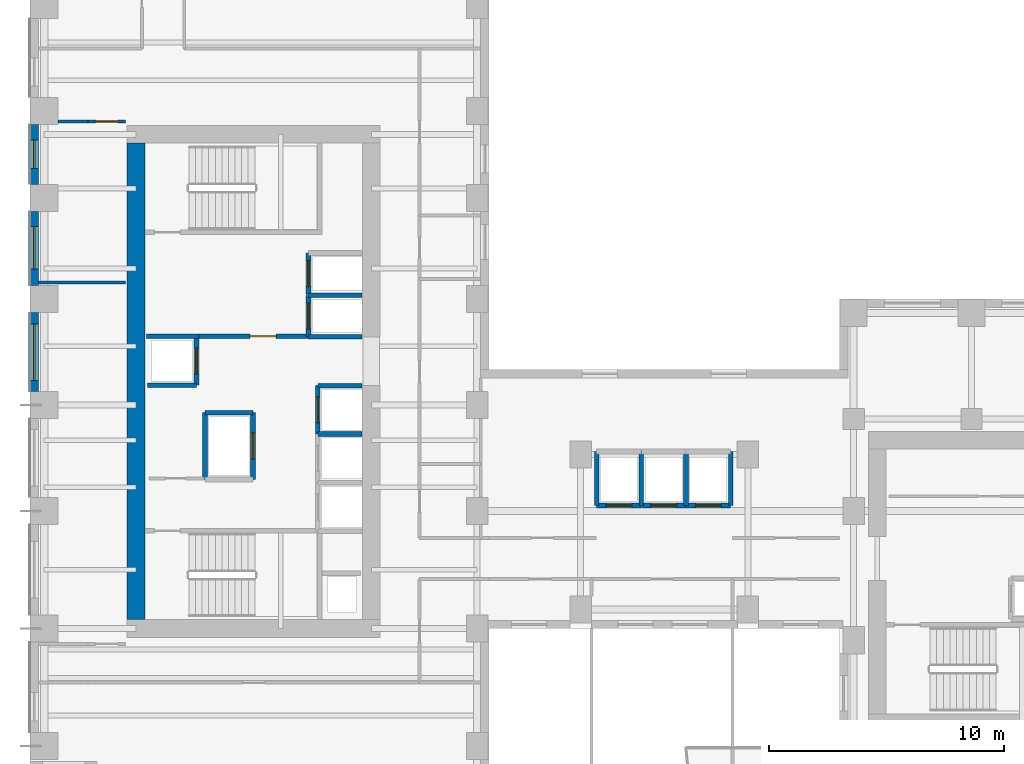
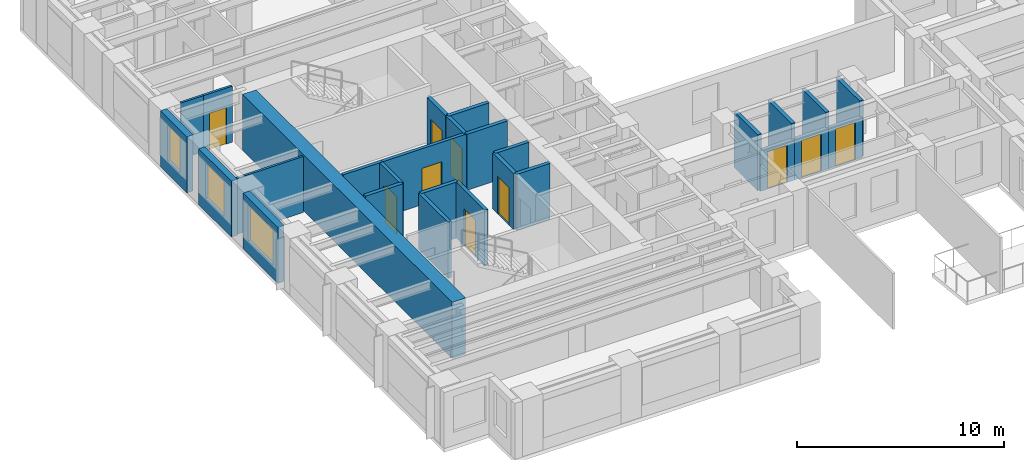
# One storey, part 5 of 12: 28 walls, 10 doors, 3 windows, 13 openings.
"""IFC4 building model written with IfcOpenShell, lengths in metres."""

from ifc_helpers import new_model, si_unit, direction, frame, frame_2d, origin, place, context, subcontext, project, spatial, rectangle, extrude, source, transform, mapped, material, layer, layer_set, type_object, element, fill, save


model = new_model("IFC4")

# Units and contexts
model_context = context("Model", 3, precision=1e-05, world=origin(), true_north=direction((0.0, 1.0)))
body_context = subcontext(model_context, "Body", "Model", "MODEL_VIEW")
ifc_project = project(units=[si_unit("LENGTHUNIT", "METRE"), si_unit("AREAUNIT", "SQUARE_METRE"), si_unit("VOLUMEUNIT", "CUBIC_METRE"), si_unit("PLANEANGLEUNIT", "RADIAN"), si_unit("MASSUNIT", "GRAM", prefix="KILO")], contexts=[model_context])

# Site, building, storey
site_placement = place(None, origin())
site = spatial("IfcSite", under=ifc_project, at=site_placement, CompositionType="ELEMENT")
building_placement = place(site_placement, origin())
building = spatial("IfcBuilding", under=site, at=building_placement, Name="Kharzan Plaza Tower", CompositionType="ELEMENT")
storey_placement = place(building_placement, frame((0.0, 0.0, 135.0)))
storey = spatial("IfcBuildingStorey", under=building, at=storey_placement, Name="L36", CompositionType="ELEMENT", Elevation=135.0)

# Wall, opening, window
ifc_material_1 = material(Name="Concrete C40/50", Category="concrete")
ifc_layer_1 = layer(ifc_material_1, 0.35009765625)
ifc_layer_set_1 = layer_set([ifc_layer_1], Name="Concrete C40/50")
wall_type_1 = type_object("IfcWallType", Name="WL-EXT-MAS-Z2", PredefinedType="SOLIDWALL", material=ifc_layer_set_1)
wall_1_placement = place(storey_placement, frame((0.175048828125, 29.927001953125, 0.0), z_axis=(0.0, 0.0, 1.0), x_axis=(0.0, -1.0, 0.0)))
wall_1 = element("IfcWall", 1, at=wall_1_placement, inside=storey, type_object=wall_type_1, Name="L36 Masonry-Frame Exterior Wall 20", PredefinedType="SOLIDWALL", context=body_context, shape_type="SweptSolid", body=[
    extrude(rectangle(XDim=2.553955078125, YDim=0.35009765625, at=frame_2d((1.27685546875, 0.0))), origin(), (0.0, 0.0, 1.0), 3.304931640625),
])
opening_1_placement = place(wall_1_placement, frame((0.677001953125, 0.0, 0.780029296875)))
opening_1 = element("IfcOpeningElement", 2, at=opening_1_placement, cuts=wall_1, Name="Opening W3", PredefinedType="OPENING", context=body_context, shape_type="SweptSolid", body=[
    extrude(rectangle(XDim=1.199951171875, YDim=2.10009765625, at=frame_2d((0.60009765625, 1.050048828125))), frame((0.0, 0.18505859375, 0.0), z_axis=(0.0, -1.0, 0.0), x_axis=(1.0, 0.0, 0.0)), (0.0, 0.0, 1.0), 0.3701171875),
])
ifc_material_2 = material(Name="Low-E Double Glazing", Category="glass")
window_type_1 = type_object("IfcWindowType", Name="WN-REC-1200x2100", PartitioningType="SINGLE_PANEL", PredefinedType="WINDOW", material=ifc_material_2)
shared_shape_1 = source(origin(), body_context, "Body", "SweptSolid", [
    extrude(rectangle(XDim=1.199951171875, YDim=2.10009765625, at=frame_2d((0.60009765625, 1.050048828125))), frame((0.0, 0.030029296875, 0.0), z_axis=(0.0, -1.0, 0.0), x_axis=(1.0, 0.0, 0.0)), (0.0, 0.0, 1.0), 0.06005859375),
])
window_1_placement = place(opening_1_placement, origin())
window_1 = element("IfcWindow", 3, at=window_1_placement, inside=storey, type_object=window_type_1, Name="L36 Recessed Solar-Control Window 20-1", OverallHeight=2.10009765625, OverallWidth=1.199951171875, PartitioningType="SINGLE_PANEL", PredefinedType="WINDOW", context=body_context, shape_type="MappedRepresentation", body=[
    mapped(shared_shape_1, transform((0.0, 0.0, 0.0), x_axis=(1.0, 0.0, 0.0), y_axis=(0.0, 1.0, 0.0), z_axis=(0.0, 0.0, 1.0))),
])
fill(opening_1, window_1)

wall_2_placement = place(storey_placement, frame((0.175048828125, 26.22705078125, 0.0), z_axis=(0.0, 0.0, 1.0), x_axis=(0.0, -1.0, 0.0)))
wall_2 = element("IfcWall", 4, at=wall_2_placement, inside=storey, type_object=wall_type_1, Name="L36 Masonry-Frame Exterior Wall 21", PredefinedType="SOLIDWALL", context=body_context, shape_type="SweptSolid", body=[
    extrude(rectangle(XDim=3.154052734375, YDim=0.35009765625, at=frame_2d((1.5771484375, 0.0))), origin(), (0.0, 0.0, 1.0), 3.304931640625),
])
opening_2_placement = place(wall_2_placement, frame((0.6484375, 0.0, 0.780029296875)))
opening_2 = element("IfcOpeningElement", 5, at=opening_2_placement, cuts=wall_2, Name="Opening W1", PredefinedType="OPENING", context=body_context, shape_type="SweptSolid", body=[
    extrude(rectangle(XDim=1.800048828125, YDim=2.10009765625, at=frame_2d((0.89990234375, 1.050048828125))), frame((0.0, 0.18505859375, 0.0), z_axis=(0.0, -1.0, 0.0), x_axis=(1.0, 0.0, 0.0)), (0.0, 0.0, 1.0), 0.3701171875),
])
window_type_2 = type_object("IfcWindowType", Name="WN-REC-1800x2100", PartitioningType="SINGLE_PANEL", PredefinedType="WINDOW", material=ifc_material_2)
shared_shape_2 = source(origin(), body_context, "Body", "SweptSolid", [
    extrude(rectangle(XDim=1.800048828125, YDim=2.10009765625, at=frame_2d((0.89990234375, 1.050048828125))), frame((0.0, 0.030029296875, 0.0), z_axis=(0.0, -1.0, 0.0), x_axis=(1.0, 0.0, 0.0)), (0.0, 0.0, 1.0), 0.06005859375),
])
window_2_placement = place(opening_2_placement, origin())
window_2 = element("IfcWindow", 6, at=window_2_placement, inside=storey, type_object=window_type_2, Name="L36 Recessed Solar-Control Window 21-1", OverallHeight=2.10009765625, OverallWidth=1.800048828125, PartitioningType="SINGLE_PANEL", PredefinedType="WINDOW", context=body_context, shape_type="MappedRepresentation", body=[
    mapped(shared_shape_2, transform((0.0, 0.0, 0.0), x_axis=(1.0, 0.0, 0.0), y_axis=(0.0, 1.0, 0.0), z_axis=(0.0, 0.0, 1.0))),
])
fill(opening_2, window_2)

wall_3_placement = place(storey_placement, frame((0.175048828125, 21.927001953125, 0.0), z_axis=(0.0, 0.0, 1.0), x_axis=(0.0, -1.0, 0.0)))
wall_3 = element("IfcWall", 7, at=wall_3_placement, inside=storey, type_object=wall_type_1, Name="L36 Masonry-Frame Exterior Wall 22", PredefinedType="SOLIDWALL", context=body_context, shape_type="SweptSolid", body=[
    extrude(rectangle(XDim=3.35400390625, YDim=0.35009765625, at=frame_2d((1.677001953125, 0.0))), origin(), (0.0, 0.0, 1.0), 3.304931640625),
])
opening_3_placement = place(wall_3_placement, frame((0.47705078125, 0.0, 0.780029296875)))
opening_3 = element("IfcOpeningElement", 8, at=opening_3_placement, cuts=wall_3, Name="Opening W2", PredefinedType="OPENING", context=body_context, shape_type="SweptSolid", body=[
    extrude(rectangle(XDim=2.39990234375, YDim=2.10009765625, at=frame_2d((1.199951171875, 1.050048828125))), frame((0.0, 0.18505859375, 0.0), z_axis=(0.0, -1.0, 0.0), x_axis=(1.0, 0.0, 0.0)), (0.0, 0.0, 1.0), 0.3701171875),
])
window_type_3 = type_object("IfcWindowType", Name="WN-REC-2400x2100", PartitioningType="SINGLE_PANEL", PredefinedType="WINDOW", material=ifc_material_2)
shared_shape_3 = source(origin(), body_context, "Body", "SweptSolid", [
    extrude(rectangle(XDim=2.39990234375, YDim=2.10009765625, at=frame_2d((1.199951171875, 1.050048828125))), frame((0.0, 0.030029296875, 0.0), z_axis=(0.0, -1.0, 0.0), x_axis=(1.0, 0.0, 0.0)), (0.0, 0.0, 1.0), 0.06005859375),
])
window_3_placement = place(opening_3_placement, origin())
window_3 = element("IfcWindow", 9, at=window_3_placement, inside=storey, type_object=window_type_3, Name="L36 Wide Recessed Solar-Control Window 22-1", OverallHeight=2.10009765625, OverallWidth=2.39990234375, PartitioningType="SINGLE_PANEL", PredefinedType="WINDOW", context=body_context, shape_type="MappedRepresentation", body=[
    mapped(shared_shape_3, transform((0.0, 0.0, 0.0), x_axis=(1.0, 0.0, 0.0), y_axis=(0.0, 1.0, 0.0), z_axis=(0.0, 0.0, 1.0))),
])
fill(opening_3, window_3)

# Wall, opening, door
ifc_layer_2 = layer(ifc_material_1, 0.179931640625)
ifc_layer_set_2 = layer_set([ifc_layer_2], Name="Concrete C40/50")
wall_type_2 = type_object("IfcWallType", Name="WL-INT-FIRE-180", PredefinedType="PARTITIONING", material=ifc_layer_set_2)
wall_4_placement = place(storey_placement, frame((7.14990234375, 20.919921875, 0.0), z_axis=(0.0, 0.0, 1.0), x_axis=(1.0, 0.0, 0.0)))
wall_4 = element("IfcWall", 10, at=wall_4_placement, inside=storey, type_object=wall_type_2, Name="L36 Interior Partition CA-FF-S", PredefinedType="PARTITIONING", context=body_context, shape_type="SweptSolid", body=[
    extrude(rectangle(XDim=4.68017578125, YDim=0.179931640625, at=frame_2d((2.340087890625, 0.0))), origin(), (0.0, 0.0, 1.0), 3.304931640625),
])
opening_4_placement = place(wall_4_placement, frame((2.199951171875, 0.0, 0.0)))
opening_4 = element("IfcOpeningElement", 11, at=opening_4_placement, cuts=wall_4, Name="Opening FD1", PredefinedType="OPENING", context=body_context, shape_type="SweptSolid", body=[
    extrude(rectangle(XDim=1.10009765625, YDim=2.14990234375, at=frame_2d((0.550048828125, 1.074951171875))), frame((0.0, 0.099853515625, 0.0), z_axis=(0.0, -1.0, 0.0), x_axis=(1.0, 0.0, 0.0)), (0.0, 0.0, 1.0), 0.199951171875),
])
ifc_material_3 = material(Name="Fire-Rated Acoustic Vision-Panel Steel", Category="steel")
door_type_1 = type_object("IfcDoorType", Name="DR-FIRE-LOBBY", OperationType="NOTDEFINED", PredefinedType="DOOR", material=ifc_material_3)
shared_shape_4 = source(origin(), body_context, "Body", "SweptSolid", [
    extrude(rectangle(XDim=1.10009765625, YDim=2.14990234375, at=frame_2d((0.550048828125, 1.074951171875))), frame((0.0, 0.02490234375, 0.0), z_axis=(0.0, -1.0, 0.0), x_axis=(1.0, 0.0, 0.0)), (0.0, 0.0, 1.0), 0.050048828125),
])
door_1_placement = place(opening_4_placement, origin())
door_1 = element("IfcDoor", 12, at=door_1_placement, inside=storey, type_object=door_type_1, Name="L36 Firefighting Lobby Door", OperationType="SINGLE_SWING_LEFT", OverallHeight=2.14990234375, OverallWidth=1.10009765625, PredefinedType="DOOR", context=body_context, shape_type="MappedRepresentation", body=[
    mapped(shared_shape_4, transform((0.0, 0.0, 0.0), x_axis=(1.0, 0.0, 0.0), y_axis=(0.0, 1.0, 0.0), z_axis=(0.0, 0.0, 1.0))),
])
fill(opening_4, door_1)

ifc_material_4 = material(Name="Fire-Rated Gypsum Board Partition", Category="gypsum")
ifc_layer_3 = layer(ifc_material_4, 0.125)
ifc_layer_set_3 = layer_set([ifc_layer_3], Name="Fire-Rated Gypsum Board Partition")
wall_type_3 = type_object("IfcWallType", Name="WL-INT-PART-125", PredefinedType="PARTITIONING", material=ifc_layer_set_3)
wall_5_placement = place(storey_placement, frame((2.449951171875, 30.050048828125, 0.0), z_axis=(0.0, 0.0, 1.0), x_axis=(1.0, 0.0, 0.0)))
wall_5 = element("IfcWall", 13, at=wall_5_placement, inside=storey, type_object=wall_type_3, Name="L36 Interior Partition SH-RWND", PredefinedType="PARTITIONING", context=body_context, shape_type="SweptSolid", body=[
    extrude(rectangle(XDim=1.60009765625, YDim=0.125, at=frame_2d((0.800048828125, 0.0))), origin(), (0.0, 0.0, 1.0), 3.304931640625),
])
opening_5_placement = place(wall_5_placement, frame((0.324951171875, 0.0, 0.0)))
opening_5 = element("IfcOpeningElement", 14, at=opening_5_placement, cuts=wall_5, Name="Opening OD1", PredefinedType="OPENING", context=body_context, shape_type="SweptSolid", body=[
    extrude(rectangle(XDim=0.949951171875, YDim=2.14990234375, at=frame_2d((0.47509765625, 1.074951171875))), frame((0.0, 0.072509765625, 0.0), z_axis=(0.0, -1.0, 0.0), x_axis=(1.0, 0.0, 0.0)), (0.0, 0.0, 1.0), 0.14501953125),
])
ifc_material_5 = material(Name="Acoustic Solid-Core Stained Oak", Category="timber")
door_type_2 = type_object("IfcDoorType", Name="DR-OFF-SINGLE", OperationType="NOTDEFINED", PredefinedType="DOOR", material=ifc_material_5)
shared_shape_5 = source(origin(), body_context, "Body", "SweptSolid", [
    extrude(rectangle(XDim=0.949951171875, YDim=2.14990234375, at=frame_2d((0.47509765625, 1.074951171875))), frame((0.0, 0.02490234375, 0.0), z_axis=(0.0, -1.0, 0.0), x_axis=(1.0, 0.0, 0.0)), (0.0, 0.0, 1.0), 0.050048828125),
])
door_2_placement = place(opening_5_placement, origin())
door_2 = element("IfcDoor", 15, at=door_2_placement, inside=storey, type_object=door_type_2, Name="L36 West Office 2 Door", OperationType="SINGLE_SWING_RIGHT", OverallHeight=2.14990234375, OverallWidth=0.949951171875, PredefinedType="DOOR", context=body_context, shape_type="MappedRepresentation", body=[
    mapped(shared_shape_5, transform((0.0, 0.0, 0.0), x_axis=(1.0, 0.0, 0.0), y_axis=(0.0, 1.0, 0.0), z_axis=(0.0, 0.0, 1.0))),
])
fill(opening_5, door_2)

ifc_layer_4 = layer(ifc_material_1, 0.199951171875)
ifc_layer_set_4 = layer_set([ifc_layer_4], Name="Concrete C40/50")
wall_type_4 = type_object("IfcWallType", Name="WL-INT-SHAFT-200", PredefinedType="PARTITIONING", material=ifc_layer_set_4)
wall_6_placement = place(storey_placement, frame((11.830078125, 20.89990234375, 0.0), z_axis=(0.0, 0.0, 1.0), x_axis=(0.0, 1.0, 0.0)))
wall_6 = element("IfcWall", 16, at=wall_6_placement, inside=storey, type_object=wall_type_4, Name="L36 Interior Partition SHF-FFL-1-W", PredefinedType="PARTITIONING", context=body_context, shape_type="SweptSolid", body=[
    extrude(rectangle(XDim=1.760009765625, YDim=0.199951171875, at=frame_2d((0.8798828125, 0.0))), origin(), (0.0, 0.0, 1.0), 3.304931640625),
])
opening_6_placement = place(wall_6_placement, frame((0.330078125, 0.0, 0.0)))
opening_6 = element("IfcOpeningElement", 17, at=opening_6_placement, cuts=wall_6, Name="Opening LD", PredefinedType="OPENING", context=body_context, shape_type="SweptSolid", body=[
    extrude(rectangle(XDim=1.10009765625, YDim=2.199951171875, at=frame_2d((0.550048828125, 1.10009765625))), frame((0.0, 0.10986328125, 0.0), z_axis=(0.0, -1.0, 0.0), x_axis=(1.0, 0.0, 0.0)), (0.0, 0.0, 1.0), 0.219970703125),
])
ifc_material_6 = material(Name="Brushed Stainless Steel", Category="steel")
door_type_3 = type_object("IfcDoorType", Name="DR-LIFT-SLIDE", OperationType="SLIDING_TO_LEFT", PredefinedType="DOOR", material=ifc_material_6)
shared_shape_6 = source(origin(), body_context, "Body", "SweptSolid", [
    extrude(rectangle(XDim=1.10009765625, YDim=2.199951171875, at=frame_2d((0.550048828125, 1.10009765625))), frame((0.0, 0.02490234375, 0.0), z_axis=(0.0, -1.0, 0.0), x_axis=(1.0, 0.0, 0.0)), (0.0, 0.0, 1.0), 0.050048828125),
])
door_3_placement = place(opening_6_placement, origin())
door_3 = element("IfcDoor", 18, at=door_3_placement, inside=storey, type_object=door_type_3, Name="L36 Firefighting Lift FFL-1 Sliding Landing Door", OperationType="SLIDING_TO_LEFT", OverallHeight=2.199951171875, OverallWidth=1.10009765625, PredefinedType="DOOR", context=body_context, shape_type="MappedRepresentation", body=[
    mapped(shared_shape_6, transform((0.0, 0.0, 0.0), x_axis=(1.0, 0.0, 0.0), y_axis=(0.0, 1.0, 0.0), z_axis=(0.0, 0.0, 1.0))),
])
fill(opening_6, door_3)

wall_7_placement = place(storey_placement, frame((11.830078125, 22.699951171875, 0.0), z_axis=(0.0, 0.0, 1.0), x_axis=(0.0, 1.0, 0.0)))
wall_7 = element("IfcWall", 19, at=wall_7_placement, inside=storey, type_object=wall_type_4, Name="L36 Interior Partition SHF-FFL-2-W", PredefinedType="PARTITIONING", context=body_context, shape_type="SweptSolid", body=[
    extrude(rectangle(XDim=1.760009765625, YDim=0.199951171875, at=frame_2d((0.8798828125, 0.0))), origin(), (0.0, 0.0, 1.0), 3.304931640625),
])
opening_7_placement = place(wall_7_placement, frame((0.330078125, 0.0, 0.0)))
opening_7 = element("IfcOpeningElement", 20, at=opening_7_placement, cuts=wall_7, Name="Opening LD", PredefinedType="OPENING", context=body_context, shape_type="SweptSolid", body=[
    extrude(rectangle(XDim=1.10009765625, YDim=2.199951171875, at=frame_2d((0.550048828125, 1.10009765625))), frame((0.0, 0.10986328125, 0.0), z_axis=(0.0, -1.0, 0.0), x_axis=(1.0, 0.0, 0.0)), (0.0, 0.0, 1.0), 0.219970703125),
])
door_4_placement = place(opening_7_placement, origin())
door_4 = element("IfcDoor", 21, at=door_4_placement, inside=storey, type_object=door_type_3, Name="L36 Firefighting Lift FFL-2 Sliding Landing Door", OperationType="SLIDING_TO_LEFT", OverallHeight=2.199951171875, OverallWidth=1.10009765625, PredefinedType="DOOR", context=body_context, shape_type="MappedRepresentation", body=[
    mapped(shared_shape_6, transform((0.0, 0.0, 0.0), x_axis=(1.0, 0.0, 0.0), y_axis=(0.0, 1.0, 0.0), z_axis=(0.0, 0.0, 1.0))),
])
fill(opening_7, door_4)

wall_8_placement = place(storey_placement, frame((12.22998046875, 16.77001953125, 0.0), z_axis=(0.0, 0.0, 1.0), x_axis=(0.0, 1.0, 0.0)))
wall_8 = element("IfcWall", 22, at=wall_8_placement, inside=storey, type_object=wall_type_4, Name="L36 Interior Partition SHF-PL-H3-W", PredefinedType="PARTITIONING", context=body_context, shape_type="SweptSolid", body=[
    extrude(rectangle(XDim=2.050048828125, YDim=0.199951171875, at=frame_2d((1.02490234375, 0.0))), origin(), (0.0, 0.0, 1.0), 3.304931640625),
])
opening_8_placement = place(wall_8_placement, frame((0.47509765625, 0.0, 0.0)))
opening_8 = element("IfcOpeningElement", 23, at=opening_8_placement, cuts=wall_8, Name="Opening LD", PredefinedType="OPENING", context=body_context, shape_type="SweptSolid", body=[
    extrude(rectangle(XDim=1.10009765625, YDim=2.199951171875, at=frame_2d((0.550048828125, 1.10009765625))), frame((0.0, 0.10986328125, 0.0), z_axis=(0.0, -1.0, 0.0), x_axis=(1.0, 0.0, 0.0)), (0.0, 0.0, 1.0), 0.219970703125),
])
door_5_placement = place(opening_8_placement, origin())
door_5 = element("IfcDoor", 24, at=door_5_placement, inside=storey, type_object=door_type_3, Name="L36 High-Rise Passenger Lift PL-H3 Sliding Landing Door", OperationType="SLIDING_TO_LEFT", OverallHeight=2.199951171875, OverallWidth=1.10009765625, PredefinedType="DOOR", context=body_context, shape_type="MappedRepresentation", body=[
    mapped(shared_shape_6, transform((0.0, 0.0, 0.0), x_axis=(1.0, 0.0, 0.0), y_axis=(0.0, 1.0, 0.0), z_axis=(0.0, 0.0, 1.0))),
])
fill(opening_8, door_5)

wall_9_placement = place(storey_placement, frame((7.070068359375, 18.840087890625, 0.0), z_axis=(0.0, 0.0, 1.0), x_axis=(0.0, 1.0, 0.0)))
wall_9 = element("IfcWall", 25, at=wall_9_placement, inside=storey, type_object=wall_type_4, Name="L36 Interior Partition SHF-PL-H4-E", PredefinedType="PARTITIONING", context=body_context, shape_type="SweptSolid", body=[
    extrude(rectangle(XDim=2.059814453125, YDim=0.199951171875, at=frame_2d((1.02978515625, 0.0))), origin(), (0.0, 0.0, 1.0), 3.304931640625),
])
opening_9_placement = place(wall_9_placement, frame((0.47998046875, 0.0, 0.0)))
opening_9 = element("IfcOpeningElement", 26, at=opening_9_placement, cuts=wall_9, Name="Opening LD", PredefinedType="OPENING", context=body_context, shape_type="SweptSolid", body=[
    extrude(rectangle(XDim=1.10009765625, YDim=2.199951171875, at=frame_2d((0.550048828125, 1.10009765625))), frame((0.0, 0.10986328125, 0.0), z_axis=(0.0, -1.0, 0.0), x_axis=(1.0, 0.0, 0.0)), (0.0, 0.0, 1.0), 0.219970703125),
])
door_6_placement = place(opening_9_placement, origin())
door_6 = element("IfcDoor", 27, at=door_6_placement, inside=storey, type_object=door_type_3, Name="L36 High-Rise Passenger Lift PL-H4 Sliding Landing Door", OperationType="SLIDING_TO_LEFT", OverallHeight=2.199951171875, OverallWidth=1.10009765625, PredefinedType="DOOR", context=body_context, shape_type="MappedRepresentation", body=[
    mapped(shared_shape_6, transform((0.0, 0.0, 0.0), x_axis=(1.0, 0.0, 0.0), y_axis=(0.0, 1.0, 0.0), z_axis=(0.0, 0.0, 1.0))),
])
fill(opening_9, door_6)

wall_10_placement = place(storey_placement, frame((24.080078125, 13.72998046875, 0.0), z_axis=(0.0, 0.0, 1.0), x_axis=(1.0, 0.0, 0.0)))
wall_10 = element("IfcWall", 28, at=wall_10_placement, inside=storey, type_object=wall_type_4, Name="L36 Interior Partition SHF-PL-M1-S", PredefinedType="PARTITIONING", context=body_context, shape_type="SweptSolid", body=[
    extrude(rectangle(XDim=1.889892578125, YDim=0.199951171875, at=frame_2d((0.94482421875, 0.0))), origin(), (0.0, 0.0, 1.0), 2.385986328125),
])
opening_10_placement = place(wall_10_placement, frame((0.39501953125, 0.0, 0.0)))
opening_10 = element("IfcOpeningElement", 29, at=opening_10_placement, cuts=wall_10, Name="Opening LD", PredefinedType="OPENING", context=body_context, shape_type="SweptSolid", body=[
    extrude(rectangle(XDim=1.10009765625, YDim=2.199951171875, at=frame_2d((0.550048828125, 1.10009765625))), frame((0.0, 0.10986328125, 0.0), z_axis=(0.0, -1.0, 0.0), x_axis=(1.0, 0.0, 0.0)), (0.0, 0.0, 1.0), 0.219970703125),
])
door_7_placement = place(opening_10_placement, origin())
door_7 = element("IfcDoor", 30, at=door_7_placement, inside=storey, type_object=door_type_3, Name="L36 Mid-Rise Passenger Lift PL-M1 Sliding Landing Door", OperationType="SLIDING_TO_LEFT", OverallHeight=2.199951171875, OverallWidth=1.10009765625, PredefinedType="DOOR", context=body_context, shape_type="MappedRepresentation", body=[
    mapped(shared_shape_6, transform((0.0, 0.0, 0.0), x_axis=(1.0, 0.0, 0.0), y_axis=(0.0, 1.0, 0.0), z_axis=(0.0, 0.0, 1.0))),
])
fill(opening_10, door_7)

wall_11_placement = place(storey_placement, frame((25.97998046875, 13.72998046875, 0.0), z_axis=(0.0, 0.0, 1.0), x_axis=(1.0, 0.0, 0.0)))
wall_11 = element("IfcWall", 31, at=wall_11_placement, inside=storey, type_object=wall_type_4, Name="L36 Interior Partition SHF-PL-M2-S", PredefinedType="PARTITIONING", context=body_context, shape_type="SweptSolid", body=[
    extrude(rectangle(XDim=1.89013671875, YDim=0.199951171875, at=frame_2d((0.945068359375, 0.0))), origin(), (0.0, 0.0, 1.0), 2.385986328125),
])
opening_11_placement = place(wall_11_placement, frame((0.39501953125, 0.0, 0.0)))
opening_11 = element("IfcOpeningElement", 32, at=opening_11_placement, cuts=wall_11, Name="Opening LD", PredefinedType="OPENING", context=body_context, shape_type="SweptSolid", body=[
    extrude(rectangle(XDim=1.10009765625, YDim=2.199951171875, at=frame_2d((0.550048828125, 1.10009765625))), frame((0.0, 0.10986328125, 0.0), z_axis=(0.0, -1.0, 0.0), x_axis=(1.0, 0.0, 0.0)), (0.0, 0.0, 1.0), 0.219970703125),
])
door_8_placement = place(opening_11_placement, origin())
door_8 = element("IfcDoor", 33, at=door_8_placement, inside=storey, type_object=door_type_3, Name="L36 Mid-Rise Passenger Lift PL-M2 Sliding Landing Door", OperationType="SLIDING_TO_LEFT", OverallHeight=2.199951171875, OverallWidth=1.10009765625, PredefinedType="DOOR", context=body_context, shape_type="MappedRepresentation", body=[
    mapped(shared_shape_6, transform((0.0, 0.0, 0.0), x_axis=(1.0, 0.0, 0.0), y_axis=(0.0, 1.0, 0.0), z_axis=(0.0, 0.0, 1.0))),
])
fill(opening_11, door_8)

wall_12_placement = place(storey_placement, frame((27.8798828125, 13.72998046875, 0.0), z_axis=(0.0, 0.0, 1.0), x_axis=(1.0, 0.0, 0.0)))
wall_12 = element("IfcWall", 34, at=wall_12_placement, inside=storey, type_object=wall_type_4, Name="L36 Interior Partition SHF-PL-M3-S", PredefinedType="PARTITIONING", context=body_context, shape_type="SweptSolid", body=[
    extrude(rectangle(XDim=1.89013671875, YDim=0.199951171875, at=frame_2d((0.945068359375, 0.0))), origin(), (0.0, 0.0, 1.0), 2.385986328125),
])
opening_12_placement = place(wall_12_placement, frame((0.39501953125, 0.0, 0.0)))
opening_12 = element("IfcOpeningElement", 35, at=opening_12_placement, cuts=wall_12, Name="Opening LD", PredefinedType="OPENING", context=body_context, shape_type="SweptSolid", body=[
    extrude(rectangle(XDim=1.10009765625, YDim=2.199951171875, at=frame_2d((0.550048828125, 1.10009765625))), frame((0.0, 0.10986328125, 0.0), z_axis=(0.0, -1.0, 0.0), x_axis=(1.0, 0.0, 0.0)), (0.0, 0.0, 1.0), 0.219970703125),
])
door_9_placement = place(opening_12_placement, origin())
door_9 = element("IfcDoor", 36, at=door_9_placement, inside=storey, type_object=door_type_3, Name="L36 Mid-Rise Passenger Lift PL-M3 Sliding Landing Door", OperationType="SLIDING_TO_LEFT", OverallHeight=2.199951171875, OverallWidth=1.10009765625, PredefinedType="DOOR", context=body_context, shape_type="MappedRepresentation", body=[
    mapped(shared_shape_6, transform((0.0, 0.0, 0.0), x_axis=(1.0, 0.0, 0.0), y_axis=(0.0, 1.0, 0.0), z_axis=(0.0, 0.0, 1.0))),
])
fill(opening_12, door_9)

wall_13_placement = place(storey_placement, frame((9.469970703125, 14.830078125, 0.0), z_axis=(0.0, 0.0, 1.0), x_axis=(0.0, 1.0, 0.0)))
wall_13 = element("IfcWall", 37, at=wall_13_placement, inside=storey, type_object=wall_type_4, Name="L36 Interior Partition SHF-SVL-1-E", PredefinedType="PARTITIONING", context=body_context, shape_type="SweptSolid", body=[
    extrude(rectangle(XDim=2.83984375, YDim=0.199951171875, at=frame_2d((1.419921875, 0.0))), origin(), (0.0, 0.0, 1.0), 3.304931640625),
])
opening_13_placement = place(wall_13_placement, frame((0.8701171875, 0.0, 0.0)))
opening_13 = element("IfcOpeningElement", 38, at=opening_13_placement, cuts=wall_13, Name="Opening LD", PredefinedType="OPENING", context=body_context, shape_type="SweptSolid", body=[
    extrude(rectangle(XDim=1.10009765625, YDim=2.199951171875, at=frame_2d((0.550048828125, 1.10009765625))), frame((0.0, 0.10986328125, 0.0), z_axis=(0.0, -1.0, 0.0), x_axis=(1.0, 0.0, 0.0)), (0.0, 0.0, 1.0), 0.219970703125),
])
door_10_placement = place(opening_13_placement, origin())
door_10 = element("IfcDoor", 39, at=door_10_placement, inside=storey, type_object=door_type_3, Name="L36 Service Lift SVL-1 Sliding Landing Door", OperationType="SLIDING_TO_LEFT", OverallHeight=2.199951171875, OverallWidth=1.10009765625, PredefinedType="DOOR", context=body_context, shape_type="MappedRepresentation", body=[
    mapped(shared_shape_6, transform((0.0, 0.0, 0.0), x_axis=(1.0, 0.0, 0.0), y_axis=(0.0, 1.0, 0.0), z_axis=(0.0, 0.0, 1.0))),
])
fill(opening_13, door_10)

# Walls
shared_shape_7 = source(origin(), body_context, "Body", "SweptSolid", [
    extrude(rectangle(XDim=2.090087890625, YDim=0.199951171875, at=frame_2d((1.044921875, 0.0))), origin(), (0.0, 0.0, 1.0), 3.304931640625),
])
wall_14_placement = place(storey_placement, frame((4.97998046875, 18.840087890625, 0.0), z_axis=(0.0, 0.0, 1.0), x_axis=(1.0, 0.0, 0.0)))
element("IfcWall", 40, at=wall_14_placement, inside=storey, type_object=wall_type_4, Name="L36 Interior Partition SHF-PL-H4-S", PredefinedType="PARTITIONING", context=body_context, shape_type="MappedRepresentation", body=[
    mapped(shared_shape_7, transform((0.0, 0.0, 0.0), x_axis=(1.0, 0.0, 0.0), y_axis=(0.0, 1.0, 0.0), z_axis=(0.0, 0.0, 1.0))),
])
shared_shape_8 = source(origin(), body_context, "Body", "SweptSolid", [
    extrude(rectangle(XDim=2.2900390625, YDim=0.199951171875, at=frame_2d((1.14501953125, 0.0))), origin(), (0.0, 0.0, 1.0), 3.304931640625),
])
for number, where, z_axis, x_axis, name in (
    (41, (25.969970703125, 13.72998046875, 0.0), (0.0, 0.0, 1.0), (0.0, 1.0, 0.0), "L36 Interior Partition SHF-PL-M1-E"),
    (42, (24.080078125, 13.72998046875, 0.0), (0.0, 0.0, 1.0), (0.0, 1.0, 0.0), "L36 Interior Partition SHF-PL-M1-W"),
    (43, (27.8701171875, 13.72998046875, 0.0), (0.0, 0.0, 1.0), (0.0, 1.0, 0.0), "L36 Interior Partition SHF-PL-M2-E"),
    (44, (29.77001953125, 13.72998046875, 0.0), (0.0, 0.0, 1.0), (0.0, 1.0, 0.0), "L36 Interior Partition SHF-PL-M3-E"),
):
    element("IfcWall", number, at=place(storey_placement, frame(where, z_axis=z_axis, x_axis=x_axis)), inside=storey, type_object=wall_type_4, Name=name, PredefinedType="PARTITIONING", context=body_context, shape_type="MappedRepresentation", body=[
        mapped(shared_shape_8, transform((0.0, 0.0, 0.0), x_axis=(1.0, 0.0, 0.0), y_axis=(0.0, 1.0, 0.0), z_axis=(0.0, 0.0, 1.0))),
    ])
shared_shape_9 = source(origin(), body_context, "Body", "SweptSolid", [
    extrude(rectangle(XDim=2.0400390625, YDim=0.199951171875, at=frame_2d((1.02001953125, 0.0))), origin(), (0.0, 0.0, 1.0), 3.304931640625),
])
wall_15_placement = place(storey_placement, frame((7.429931640625, 17.669921875, 0.0), z_axis=(0.0, 0.0, 1.0), x_axis=(1.0, 0.0, 0.0)))
element("IfcWall", 45, at=wall_15_placement, inside=storey, type_object=wall_type_4, Name="L36 Interior Partition SHF-SVL-1-N", PredefinedType="PARTITIONING", context=body_context, shape_type="MappedRepresentation", body=[
    mapped(shared_shape_9, transform((0.0, 0.0, 0.0), x_axis=(1.0, 0.0, 0.0), y_axis=(0.0, 1.0, 0.0), z_axis=(0.0, 0.0, 1.0))),
])
shared_shape_10 = source(origin(), body_context, "Body", "SweptSolid", [
    extrude(rectangle(XDim=2.83984375, YDim=0.199951171875, at=frame_2d((1.419921875, 0.0))), origin(), (0.0, 0.0, 1.0), 3.304931640625),
])
wall_16_placement = place(storey_placement, frame((7.429931640625, 14.830078125, 0.0), z_axis=(0.0, 0.0, 1.0), x_axis=(0.0, 1.0, 0.0)))
element("IfcWall", 46, at=wall_16_placement, inside=storey, type_object=wall_type_4, Name="L36 Interior Partition SHF-SVL-1-W", PredefinedType="PARTITIONING", context=body_context, shape_type="MappedRepresentation", body=[
    mapped(shared_shape_10, transform((0.0, 0.0, 0.0), x_axis=(1.0, 0.0, 0.0), y_axis=(0.0, 1.0, 0.0), z_axis=(0.0, 0.0, 1.0))),
])
ifc_material_7 = material(Name="Concrete C60/75", Category="concrete")
ifc_layer_5 = layer(ifc_material_7, 0.75)
ifc_layer_set_5 = layer_set([ifc_layer_5], Name="Concrete C60/75")
wall_type_5 = type_object("IfcWallType", Name="WL-CORE-750", PredefinedType="SHEAR", material=ifc_layer_set_5)
shared_shape_11 = source(origin(), body_context, "Body", "SweptSolid", [
    extrude(rectangle(XDim=20.25, YDim=0.75, at=frame_2d((10.125, 0.0))), origin(), (0.0, 0.0, 1.0), 3.320068359375),
])
wall_17_placement = place(storey_placement, frame((4.5, 8.875, 0.0), z_axis=(0.0, 0.0, 1.0), x_axis=(0.0, 1.0, 0.0)))
element("IfcWall", 47, at=wall_17_placement, inside=storey, type_object=wall_type_5, Name="L36 CORE-A west RC shear wall", PredefinedType="SHEAR", context=body_context, shape_type="MappedRepresentation", body=[
    mapped(shared_shape_11, transform((0.0, 0.0, 0.0), x_axis=(1.0, 0.0, 0.0), y_axis=(0.0, 1.0, 0.0), z_axis=(0.0, 0.0, 1.0))),
])
shared_shape_12 = source(origin(), body_context, "Body", "SweptSolid", [
    extrude(rectangle(XDim=2.199951171875, YDim=0.179931640625, at=frame_2d((1.10009765625, 0.0))), origin(), (0.0, 0.0, 1.0), 3.304931640625),
])
wall_18_placement = place(storey_placement, frame((4.949951171875, 20.919921875, 0.0), z_axis=(0.0, 0.0, 1.0), x_axis=(1.0, 0.0, 0.0)))
element("IfcWall", 48, at=wall_18_placement, inside=storey, type_object=wall_type_2, Name="L36 Interior Partition CA-FF-SW", PredefinedType="PARTITIONING", context=body_context, shape_type="MappedRepresentation", body=[
    mapped(shared_shape_12, transform((0.0, 0.0, 0.0), x_axis=(1.0, 0.0, 0.0), y_axis=(0.0, 1.0, 0.0), z_axis=(0.0, 0.0, 1.0))),
])
shared_shape_13 = source(origin(), body_context, "Body", "SweptSolid", [
    extrude(rectangle(XDim=1.260009765625, YDim=0.125, at=frame_2d((0.6298828125, 0.0))), origin(), (0.0, 0.0, 1.0), 3.304931640625),
])
wall_19_placement = place(storey_placement, frame((1.18994140625, 30.050048828125, 0.0), z_axis=(0.0, 0.0, 1.0), x_axis=(1.0, 0.0, 0.0)))
element("IfcWall", 49, at=wall_19_placement, inside=storey, type_object=wall_type_3, Name="L36 Interior Partition SH-RWN0", PredefinedType="PARTITIONING", context=body_context, shape_type="MappedRepresentation", body=[
    mapped(shared_shape_13, transform((0.0, 0.0, 0.0), x_axis=(1.0, 0.0, 0.0), y_axis=(0.0, 1.0, 0.0), z_axis=(0.0, 0.0, 1.0))),
])
shared_shape_14 = source(origin(), body_context, "Body", "SweptSolid", [
    extrude(rectangle(XDim=3.697998046875, YDim=0.125, at=frame_2d((1.84912109375, 0.0))), origin(), (0.0, 0.0, 1.0), 3.304931640625),
])
wall_20_placement = place(storey_placement, frame((0.35205078125, 23.199951171875, 0.0), z_axis=(0.0, 0.0, 1.0), x_axis=(1.0, 0.0, 0.0)))
element("IfcWall", 50, at=wall_20_placement, inside=storey, type_object=wall_type_3, Name="L36 Interior Partition SH-WMID", PredefinedType="PARTITIONING", context=body_context, shape_type="MappedRepresentation", body=[
    mapped(shared_shape_14, transform((0.0, 0.0, 0.0), x_axis=(1.0, 0.0, 0.0), y_axis=(0.0, 1.0, 0.0), z_axis=(0.0, 0.0, 1.0))),
])
shared_shape_15 = source(origin(), body_context, "Body", "SweptSolid", [
    extrude(rectangle(XDim=2.264892578125, YDim=0.199951171875, at=frame_2d((1.13232421875, 0.0))), origin(), (0.0, 0.0, 1.0), 3.304931640625),
])
for number, where, z_axis, x_axis, name in (
    (51, (11.830078125, 22.659912109375, 0.0), (0.0, 0.0, 1.0), (1.0, 0.0, 0.0), "L36 Interior Partition SHF-FFL-1-N"),
    (52, (11.830078125, 20.89990234375, 0.0), (0.0, 0.0, 1.0), (1.0, 0.0, 0.0), "L36 Interior Partition SHF-FFL-1-S"),
):
    element("IfcWall", number, at=place(storey_placement, frame(where, z_axis=z_axis, x_axis=x_axis)), inside=storey, type_object=wall_type_4, Name=name, PredefinedType="PARTITIONING", context=body_context, shape_type="MappedRepresentation", body=[
        mapped(shared_shape_15, transform((0.0, 0.0, 0.0), x_axis=(1.0, 0.0, 0.0), y_axis=(0.0, 1.0, 0.0), z_axis=(0.0, 0.0, 1.0))),
    ])
shared_shape_16 = source(origin(), body_context, "Body", "SweptSolid", [
    extrude(rectangle(XDim=1.864990234375, YDim=0.199951171875, at=frame_2d((0.9326171875, 0.0))), origin(), (0.0, 0.0, 1.0), 3.304931640625),
])
for number, where, z_axis, x_axis, name in (
    (53, (12.22998046875, 16.77001953125, 0.0), (0.0, 0.0, 1.0), (1.0, 0.0, 0.0), "L36 Interior Partition SHF-PL-H2-N"),
    (54, (12.22998046875, 18.820068359375, 0.0), (0.0, 0.0, 1.0), (1.0, 0.0, 0.0), "L36 Interior Partition SHF-PL-H3-N"),
):
    element("IfcWall", number, at=place(storey_placement, frame(where, z_axis=z_axis, x_axis=x_axis)), inside=storey, type_object=wall_type_4, Name=name, PredefinedType="PARTITIONING", context=body_context, shape_type="MappedRepresentation", body=[
        mapped(shared_shape_16, transform((0.0, 0.0, 0.0), x_axis=(1.0, 0.0, 0.0), y_axis=(0.0, 1.0, 0.0), z_axis=(0.0, 0.0, 1.0))),
    ])

save(model, "model.ifc")
